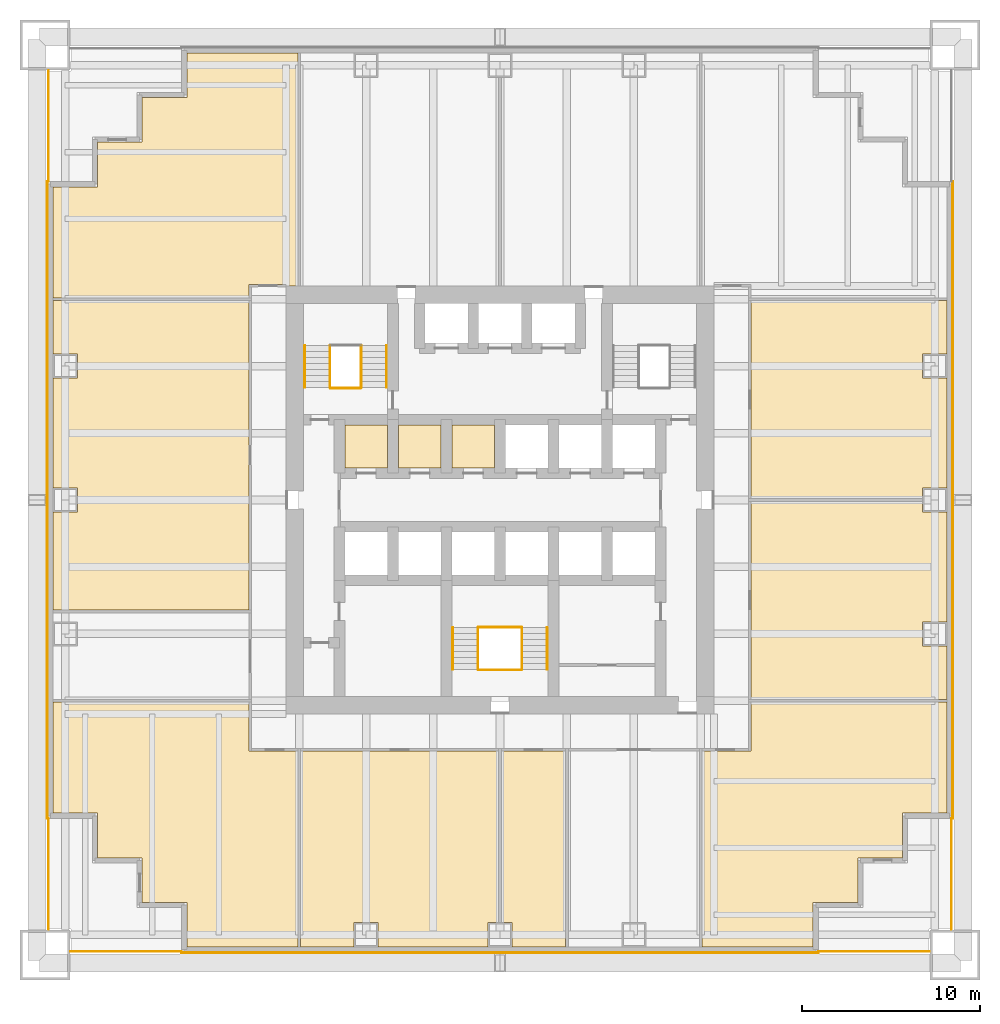
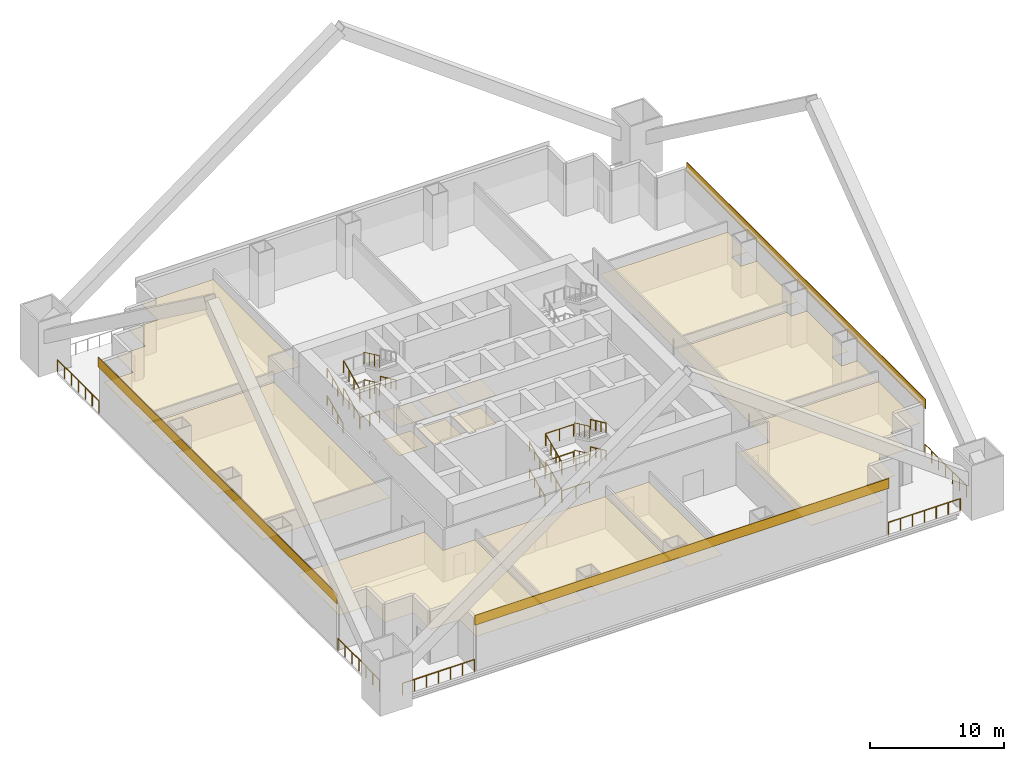
# One storey, part 5 of 6: 26 railings, 17 coverings.
"""IFC4 building model written with IfcOpenShell, lengths in metres."""

from ifc_helpers import new_model, si_unit, direction, frame, origin, origin_2d, place, context, subcontext, project, spatial, polyline, rectangle, circle, outline, extrude, material, layer, layer_set, type_object, element, save


model = new_model("IFC4")

# Units and contexts
model_context = context("Model", 3, precision=1e-05, world=origin(), true_north=direction((0.0, 1.0)))
body_context = subcontext(model_context, "Body", "Model", "MODEL_VIEW")
ifc_project = project(units=[si_unit("LENGTHUNIT", "METRE"), si_unit("AREAUNIT", "SQUARE_METRE"), si_unit("VOLUMEUNIT", "CUBIC_METRE"), si_unit("PLANEANGLEUNIT", "RADIAN"), si_unit("MASSUNIT", "GRAM", prefix="KILO")], contexts=[model_context])

# Site, building, storey
site_placement = place(None, origin())
site = spatial("IfcSite", under=ifc_project, at=site_placement, CompositionType="ELEMENT")
building_placement = place(site_placement, origin())
building = spatial("IfcBuilding", under=site, at=building_placement, Name="Tarangal Relay Tower", CompositionType="ELEMENT")
storey_placement = place(building_placement, frame((0.0, 0.0, 58.39990234375)))
storey = spatial("IfcBuildingStorey", under=building, at=storey_placement, Name="L11", CompositionType="ELEMENT", Elevation=58.39990234375)

# Coverings
ifc_material_1 = material(Name="Anti-static vinyl flooring", Category="plastic")
ifc_layer_1 = layer(ifc_material_1, 0.010009765625)
ifc_layer_set_1 = layer_set([ifc_layer_1], Name="Anti-static vinyl floor")
covering_type_1 = type_object("IfcCoveringType", Name="Anti-static vinyl floor", PredefinedType="FLOORING", material=ifc_layer_set_1)
covering_1_placement = place(storey_placement, origin())
element("IfcCovering", 1, at=covering_1_placement, inside=storey, type_object=covering_type_1, Name="Floor finish FL1 L11-D1", PredefinedType="FLOORING", context=body_context, shape_type="SweptSolid", body=[
    extrude(outline(polyline([(-8.699951171875, 1.800048828125), (-6.300048828125, 1.800048828125), (-6.300048828125, 4.199951171875), (-8.699951171875, 4.199951171875), (-8.699951171875, 1.800048828125)])), origin(), (0.0, 0.0, 1.0), 0.010009765625),
])
covering_2_placement = place(storey_placement, origin())
element("IfcCovering", 2, at=covering_2_placement, inside=storey, type_object=covering_type_1, Name="Floor finish FL1 L11-D2", PredefinedType="FLOORING", context=body_context, shape_type="SweptSolid", body=[
    extrude(outline(polyline([(-5.699951171875, 1.800048828125), (-3.300048828125, 1.800048828125), (-3.300048828125, 4.199951171875), (-5.699951171875, 4.199951171875), (-5.699951171875, 1.800048828125)])), origin(), (0.0, 0.0, 1.0), 0.010009765625),
])
covering_3_placement = place(storey_placement, origin())
element("IfcCovering", 3, at=covering_3_placement, inside=storey, type_object=covering_type_1, Name="Floor finish FL1 L11-D3", PredefinedType="FLOORING", context=body_context, shape_type="SweptSolid", body=[
    extrude(outline(polyline([(-2.699951171875, 1.800048828125), (-0.300048828125, 1.800048828125), (-0.300048828125, 4.199951171875), (-2.699951171875, 4.199951171875), (-2.699951171875, 1.800048828125)])), origin(), (0.0, 0.0, 1.0), 0.010009765625),
])
ifc_material_2 = material(Name="Black anodised aluminium cladding", Category="aluminium")
ifc_layer_2 = layer(ifc_material_2, 0.050048828125)
ifc_layer_set_2 = layer_set([ifc_layer_2], Name="Black metal spandrel band")
covering_type_2 = type_object("IfcCoveringType", Name="Black metal spandrel band", PredefinedType="CLADDING", material=ifc_layer_set_2)
for number, where, z_axis, x_axis, name in (
    (4, (25.375, 0.0, 4.250244140625), (0.0, 0.0, 1.0), (0.0, -1.0, 0.0), "Spandrel band SB1 E L11"),
    (5, (0.0, -25.375, 4.250244140625), (0.0, 0.0, 1.0), (-1.0, 0.0, 0.0), "Spandrel band SB1 S L11"),
    (6, (-25.375, 0.0, 4.250244140625), (0.0, 0.0, 1.0), (0.0, 1.0, 0.0), "Spandrel band SB1 W L11"),
):
    element("IfcCovering", number, at=place(storey_placement, frame(where, z_axis=z_axis, x_axis=x_axis)), inside=storey, type_object=covering_type_2, Name=name, PredefinedType="CLADDING", context=body_context, shape_type="SweptSolid", body=[
        extrude(rectangle(XDim=35.699951171875, YDim=0.050048828125, at=origin_2d()), origin(), (0.0, 0.0, 1.0), 0.89990234375),
    ])

# Railings
ifc_material_3 = material(Name="Steel guard, black finish", Category="steel")
railing_type_1 = type_object("IfcRailingType", Name="Stair guard 1100", PredefinedType="GUARDRAIL", material=ifc_material_3)
railing_1_placement = place(storey_placement, frame((-9.530029296875, 6.300048828125, 0.15625)))
element("IfcRailing", 7, at=railing_1_placement, inside=storey, type_object=railing_type_1, Name="Stair ST-A guard GR1 L11 flight 1", PredefinedType="GUARDRAIL", context=body_context, shape_type="SweptSolid", body=[
    extrude(circle(Radius=0.02392578125, at=origin_2d()), frame((0.0, 0.0, 1.076171875), z_axis=(0.0, 0.90626748934, 0.422704669676), x_axis=(-1.0, 0.0, 0.0)), (0.0, 0.0, 1.0), 2.58740234375),
    extrude(circle(Radius=0.02099609375, at=origin_2d()), origin(), (0.0, 0.0, 1.0), 1.052001953125),
    extrude(circle(Radius=0.02099609375, at=origin_2d()), frame((0.0, 0.78173828125, 0.364501953125)), (0.0, 0.0, 1.0), 1.052001953125),
    extrude(circle(Radius=0.02099609375, at=origin_2d()), frame((0.0, 1.563232421875, 0.729248046875)), (0.0, 0.0, 1.0), 1.052001953125),
    extrude(circle(Radius=0.02099609375, at=origin_2d()), frame((0.0, 2.344970703125, 1.09375)), (0.0, 0.0, 1.0), 1.052001953125),
])
railing_2_placement = place(storey_placement, frame((-7.77001953125, 8.64501953125, 1.40625)))
element("IfcRailing", 8, at=railing_2_placement, inside=storey, type_object=railing_type_1, Name="Stair ST-A guard GR1 L11 flight 2", PredefinedType="GUARDRAIL", context=body_context, shape_type="SweptSolid", body=[
    extrude(circle(Radius=0.02392578125, at=origin_2d()), frame((0.0, 0.0, 1.076171875), z_axis=(0.0, -0.90626748934, 0.422704669676), x_axis=(1.0, 0.0, 0.0)), (0.0, 0.0, 1.0), 2.58740234375),
    extrude(circle(Radius=0.02099609375, at=origin_2d()), origin(), (0.0, 0.0, 1.0), 1.052001953125),
    extrude(circle(Radius=0.02099609375, at=origin_2d()), frame((0.0, -0.78173828125, 0.364501953125)), (0.0, 0.0, 1.0), 1.052001953125),
    extrude(circle(Radius=0.02099609375, at=origin_2d()), frame((0.0, -1.563232421875, 0.729248046875)), (0.0, 0.0, 1.0), 1.052001953125),
    extrude(circle(Radius=0.02099609375, at=origin_2d()), frame((0.0, -2.344970703125, 1.09375)), (0.0, 0.0, 1.0), 1.052001953125),
])
railing_3_placement = place(storey_placement, frame((-9.530029296875, 6.300048828125, 2.65625)))
element("IfcRailing", 9, at=railing_3_placement, inside=storey, type_object=railing_type_1, Name="Stair ST-A guard GR1 L11 flight 3", PredefinedType="GUARDRAIL", context=body_context, shape_type="SweptSolid", body=[
    extrude(circle(Radius=0.02392578125, at=origin_2d()), frame((0.0, 0.0, 1.076171875), z_axis=(0.0, 0.90626748934, 0.422704669676), x_axis=(-1.0, 0.0, 0.0)), (0.0, 0.0, 1.0), 2.58740234375),
    extrude(circle(Radius=0.02099609375, at=origin_2d()), origin(), (0.0, 0.0, 1.0), 1.052001953125),
    extrude(circle(Radius=0.02099609375, at=origin_2d()), frame((0.0, 0.78173828125, 0.364501953125)), (0.0, 0.0, 1.0), 1.052001953125),
    extrude(circle(Radius=0.02099609375, at=origin_2d()), frame((0.0, 1.563232421875, 0.729248046875)), (0.0, 0.0, 1.0), 1.052001953125),
    extrude(circle(Radius=0.02099609375, at=origin_2d()), frame((0.0, 2.344970703125, 1.09375)), (0.0, 0.0, 1.0), 1.052001953125),
])
railing_4_placement = place(storey_placement, frame((-7.77001953125, 8.64501953125, 3.90625)))
element("IfcRailing", 10, at=railing_4_placement, inside=storey, type_object=railing_type_1, Name="Stair ST-A guard GR1 L11 flight 4", PredefinedType="GUARDRAIL", context=body_context, shape_type="SweptSolid", body=[
    extrude(circle(Radius=0.02392578125, at=origin_2d()), frame((0.0, 0.0, 1.076171875), z_axis=(0.0, -0.90626748934, 0.422704669676), x_axis=(1.0, 0.0, 0.0)), (0.0, 0.0, 1.0), 2.58740234375),
    extrude(circle(Radius=0.02099609375, at=origin_2d()), origin(), (0.0, 0.0, 1.0), 1.052001953125),
    extrude(circle(Radius=0.02099609375, at=origin_2d()), frame((0.0, -0.78173828125, 0.364501953125)), (0.0, 0.0, 1.0), 1.052001953125),
    extrude(circle(Radius=0.02099609375, at=origin_2d()), frame((0.0, -1.563232421875, 0.729248046875)), (0.0, 0.0, 1.0), 1.052001953125),
    extrude(circle(Radius=0.02099609375, at=origin_2d()), frame((0.0, -2.344970703125, 1.09375)), (0.0, 0.0, 1.0), 1.052001953125),
])
for number, where, name in (
    (11, (-9.5, 6.27001953125, 0.0), "Stair ST-A landing guard GR1 L11"),
    (12, (-9.5, 6.27001953125, 2.5), "Stair ST-A landing guard GR1 L11"),
):
    element("IfcRailing", number, at=place(storey_placement, frame(where)), inside=storey, type_object=railing_type_1, Name=name, PredefinedType="GUARDRAIL", context=body_context, shape_type="SweptSolid", body=[
        extrude(circle(Radius=0.02392578125, at=origin_2d()), frame((0.0, 0.0, 1.076171875), z_axis=(1.0, 0.0, 0.0), x_axis=(0.0, 1.0, 0.0)), (0.0, 0.0, 1.0), 1.699951171875),
        extrude(circle(Radius=0.02099609375, at=origin_2d()), origin(), (0.0, 0.0, 1.0), 1.052001953125),
        extrude(circle(Radius=0.02099609375, at=origin_2d()), frame((0.85009765625, 0.0, 0.0)), (0.0, 0.0, 1.0), 1.052001953125),
        extrude(circle(Radius=0.02099609375, at=origin_2d()), frame((1.699951171875, 0.0, 0.0)), (0.0, 0.0, 1.0), 1.052001953125),
    ])
railing_5_placement = place(storey_placement, frame((-1.22998046875, -9.5, 0.15625)))
element("IfcRailing", 13, at=railing_5_placement, inside=storey, type_object=railing_type_1, Name="Stair ST-C guard GR1 L11 flight 1", PredefinedType="GUARDRAIL", context=body_context, shape_type="SweptSolid", body=[
    extrude(circle(Radius=0.02392578125, at=origin_2d()), frame((0.0, 0.0, 1.076171875), z_axis=(0.0, 0.90626748934, 0.422704669676), x_axis=(-1.0, 0.0, 0.0)), (0.0, 0.0, 1.0), 2.58740234375),
    extrude(circle(Radius=0.02099609375, at=origin_2d()), origin(), (0.0, 0.0, 1.0), 1.052001953125),
    extrude(circle(Radius=0.02099609375, at=origin_2d()), frame((0.0, 0.78173828125, 0.364501953125)), (0.0, 0.0, 1.0), 1.052001953125),
    extrude(circle(Radius=0.02099609375, at=origin_2d()), frame((0.0, 1.563232421875, 0.729248046875)), (0.0, 0.0, 1.0), 1.052001953125),
    extrude(circle(Radius=0.02099609375, at=origin_2d()), frame((0.0, 2.344970703125, 1.09375)), (0.0, 0.0, 1.0), 1.052001953125),
])
railing_6_placement = place(storey_placement, frame((1.22998046875, -7.155029296875, 1.40625)))
element("IfcRailing", 14, at=railing_6_placement, inside=storey, type_object=railing_type_1, Name="Stair ST-C guard GR1 L11 flight 2", PredefinedType="GUARDRAIL", context=body_context, shape_type="SweptSolid", body=[
    extrude(circle(Radius=0.02392578125, at=origin_2d()), frame((0.0, 0.0, 1.076171875), z_axis=(0.0, -0.90626748934, 0.422704669676), x_axis=(1.0, 0.0, 0.0)), (0.0, 0.0, 1.0), 2.58740234375),
    extrude(circle(Radius=0.02099609375, at=origin_2d()), origin(), (0.0, 0.0, 1.0), 1.052001953125),
    extrude(circle(Radius=0.02099609375, at=origin_2d()), frame((0.0, -0.78173828125, 0.364501953125)), (0.0, 0.0, 1.0), 1.052001953125),
    extrude(circle(Radius=0.02099609375, at=origin_2d()), frame((0.0, -1.563232421875, 0.729248046875)), (0.0, 0.0, 1.0), 1.052001953125),
    extrude(circle(Radius=0.02099609375, at=origin_2d()), frame((0.0, -2.344970703125, 1.09375)), (0.0, 0.0, 1.0), 1.052001953125),
])
railing_7_placement = place(storey_placement, frame((-1.22998046875, -9.5, 2.65625)))
element("IfcRailing", 15, at=railing_7_placement, inside=storey, type_object=railing_type_1, Name="Stair ST-C guard GR1 L11 flight 3", PredefinedType="GUARDRAIL", context=body_context, shape_type="SweptSolid", body=[
    extrude(circle(Radius=0.02392578125, at=origin_2d()), frame((0.0, 0.0, 1.076171875), z_axis=(0.0, 0.90626748934, 0.422704669676), x_axis=(-1.0, 0.0, 0.0)), (0.0, 0.0, 1.0), 2.58740234375),
    extrude(circle(Radius=0.02099609375, at=origin_2d()), origin(), (0.0, 0.0, 1.0), 1.052001953125),
    extrude(circle(Radius=0.02099609375, at=origin_2d()), frame((0.0, 0.78173828125, 0.364501953125)), (0.0, 0.0, 1.0), 1.052001953125),
    extrude(circle(Radius=0.02099609375, at=origin_2d()), frame((0.0, 1.563232421875, 0.729248046875)), (0.0, 0.0, 1.0), 1.052001953125),
    extrude(circle(Radius=0.02099609375, at=origin_2d()), frame((0.0, 2.344970703125, 1.09375)), (0.0, 0.0, 1.0), 1.052001953125),
])
railing_8_placement = place(storey_placement, frame((1.22998046875, -7.155029296875, 3.90625)))
element("IfcRailing", 16, at=railing_8_placement, inside=storey, type_object=railing_type_1, Name="Stair ST-C guard GR1 L11 flight 4", PredefinedType="GUARDRAIL", context=body_context, shape_type="SweptSolid", body=[
    extrude(circle(Radius=0.02392578125, at=origin_2d()), frame((0.0, 0.0, 1.076171875), z_axis=(0.0, -0.90626748934, 0.422704669676), x_axis=(1.0, 0.0, 0.0)), (0.0, 0.0, 1.0), 2.58740234375),
    extrude(circle(Radius=0.02099609375, at=origin_2d()), origin(), (0.0, 0.0, 1.0), 1.052001953125),
    extrude(circle(Radius=0.02099609375, at=origin_2d()), frame((0.0, -0.78173828125, 0.364501953125)), (0.0, 0.0, 1.0), 1.052001953125),
    extrude(circle(Radius=0.02099609375, at=origin_2d()), frame((0.0, -1.563232421875, 0.729248046875)), (0.0, 0.0, 1.0), 1.052001953125),
    extrude(circle(Radius=0.02099609375, at=origin_2d()), frame((0.0, -2.344970703125, 1.09375)), (0.0, 0.0, 1.0), 1.052001953125),
])
for number, where, name in (
    (17, (-1.199951171875, -9.530029296875, 0.0), "Stair ST-C landing guard GR1 L11"),
    (18, (-1.199951171875, -7.125, 1.25), "Stair ST-C landing guard GR1 L11"),
    (19, (-1.199951171875, -9.530029296875, 2.5), "Stair ST-C landing guard GR1 L11"),
    (20, (-1.199951171875, -7.125, 3.75), "Stair ST-C landing guard GR1 L11"),
):
    element("IfcRailing", number, at=place(storey_placement, frame(where)), inside=storey, type_object=railing_type_1, Name=name, PredefinedType="GUARDRAIL", context=body_context, shape_type="SweptSolid", body=[
        extrude(circle(Radius=0.02392578125, at=origin_2d()), frame((0.0, 0.0, 1.076171875), z_axis=(1.0, 0.0, 0.0), x_axis=(0.0, 1.0, 0.0)), (0.0, 0.0, 1.0), 2.39990234375),
        extrude(circle(Radius=0.02099609375, at=origin_2d()), origin(), (0.0, 0.0, 1.0), 1.052001953125),
        extrude(circle(Radius=0.02099609375, at=origin_2d()), frame((1.199951171875, 0.0, 0.0)), (0.0, 0.0, 1.0), 1.052001953125),
        extrude(circle(Radius=0.02099609375, at=origin_2d()), frame((2.39990234375, 0.0, 0.0)), (0.0, 0.0, 1.0), 1.052001953125),
    ])
ifc_material_4 = material(Name="Steel handrail, black finish", Category="steel")
railing_type_2 = type_object("IfcRailingType", Name="Stair handrail 900", PredefinedType="HANDRAIL", material=ifc_material_4)
railing_9_placement = place(storey_placement, frame((-10.93994140625, 6.300048828125, 0.15625)))
element("IfcRailing", 21, at=railing_9_placement, inside=storey, type_object=railing_type_2, Name="Stair ST-A handrail HR1 L11 flight 1", PredefinedType="HANDRAIL", context=body_context, shape_type="SweptSolid", body=[
    extrude(circle(Radius=0.02392578125, at=origin_2d()), frame((0.0, 0.0, 0.8759765625), z_axis=(0.0, 0.90626748934, 0.422704669676), x_axis=(-1.0, 0.0, 0.0)), (0.0, 0.0, 1.0), 2.58740234375),
    extrude(circle(Radius=0.02099609375, at=origin_2d()), origin(), (0.0, 0.0, 1.0), 0.851806640625),
    extrude(circle(Radius=0.02099609375, at=origin_2d()), frame((0.0, 0.78173828125, 0.364501953125)), (0.0, 0.0, 1.0), 0.851806640625),
    extrude(circle(Radius=0.02099609375, at=origin_2d()), frame((0.0, 1.563232421875, 0.729248046875)), (0.0, 0.0, 1.0), 0.851806640625),
    extrude(circle(Radius=0.02099609375, at=origin_2d()), frame((0.0, 2.344970703125, 1.09375)), (0.0, 0.0, 1.0), 0.851806640625),
])
railing_10_placement = place(storey_placement, frame((-6.360107421875, 8.64501953125, 1.40625)))
element("IfcRailing", 22, at=railing_10_placement, inside=storey, type_object=railing_type_2, Name="Stair ST-A handrail HR1 L11 flight 2", PredefinedType="HANDRAIL", context=body_context, shape_type="SweptSolid", body=[
    extrude(circle(Radius=0.02392578125, at=origin_2d()), frame((0.0, 0.0, 0.8759765625), z_axis=(0.0, -0.90626748934, 0.422704669676), x_axis=(1.0, 0.0, 0.0)), (0.0, 0.0, 1.0), 2.58740234375),
    extrude(circle(Radius=0.02099609375, at=origin_2d()), origin(), (0.0, 0.0, 1.0), 0.851806640625),
    extrude(circle(Radius=0.02099609375, at=origin_2d()), frame((0.0, -0.78173828125, 0.364501953125)), (0.0, 0.0, 1.0), 0.851806640625),
    extrude(circle(Radius=0.02099609375, at=origin_2d()), frame((0.0, -1.563232421875, 0.729248046875)), (0.0, 0.0, 1.0), 0.851806640625),
    extrude(circle(Radius=0.02099609375, at=origin_2d()), frame((0.0, -2.344970703125, 1.09375)), (0.0, 0.0, 1.0), 0.851806640625),
])
for number, where, name in (
    (23, (-10.93994140625, 6.300048828125, 2.65625), "Stair ST-A handrail HR1 L11 flight 3"),
    (24, (-2.639892578125, -9.5, 0.15625), "Stair ST-C handrail HR1 L11 flight 1"),
):
    element("IfcRailing", number, at=place(storey_placement, frame(where)), inside=storey, type_object=railing_type_2, Name=name, PredefinedType="HANDRAIL", context=body_context, shape_type="SweptSolid", body=[
        extrude(circle(Radius=0.02392578125, at=origin_2d()), frame((0.0, 0.0, 0.8759765625), z_axis=(0.0, 0.90626748934, 0.422704669676), x_axis=(-1.0, 0.0, 0.0)), (0.0, 0.0, 1.0), 2.58740234375),
        extrude(circle(Radius=0.02099609375, at=origin_2d()), origin(), (0.0, 0.0, 1.0), 0.851806640625),
        extrude(circle(Radius=0.02099609375, at=origin_2d()), frame((0.0, 0.78173828125, 0.364501953125)), (0.0, 0.0, 1.0), 0.851806640625),
        extrude(circle(Radius=0.02099609375, at=origin_2d()), frame((0.0, 1.563232421875, 0.729248046875)), (0.0, 0.0, 1.0), 0.851806640625),
        extrude(circle(Radius=0.02099609375, at=origin_2d()), frame((0.0, 2.344970703125, 1.09375)), (0.0, 0.0, 1.0), 0.851806640625),
    ])
railing_11_placement = place(storey_placement, frame((2.639892578125, -7.155029296875, 1.40625)))
element("IfcRailing", 25, at=railing_11_placement, inside=storey, type_object=railing_type_2, Name="Stair ST-C handrail HR1 L11 flight 2", PredefinedType="HANDRAIL", context=body_context, shape_type="SweptSolid", body=[
    extrude(circle(Radius=0.02392578125, at=origin_2d()), frame((0.0, 0.0, 0.8759765625), z_axis=(0.0, -0.90626748934, 0.422704669676), x_axis=(1.0, 0.0, 0.0)), (0.0, 0.0, 1.0), 2.58740234375),
    extrude(circle(Radius=0.02099609375, at=origin_2d()), origin(), (0.0, 0.0, 1.0), 0.851806640625),
    extrude(circle(Radius=0.02099609375, at=origin_2d()), frame((0.0, -0.78173828125, 0.364501953125)), (0.0, 0.0, 1.0), 0.851806640625),
    extrude(circle(Radius=0.02099609375, at=origin_2d()), frame((0.0, -1.563232421875, 0.729248046875)), (0.0, 0.0, 1.0), 0.851806640625),
    extrude(circle(Radius=0.02099609375, at=origin_2d()), frame((0.0, -2.344970703125, 1.09375)), (0.0, 0.0, 1.0), 0.851806640625),
])
railing_12_placement = place(storey_placement, frame((-2.639892578125, -9.5, 2.65625)))
element("IfcRailing", 26, at=railing_12_placement, inside=storey, type_object=railing_type_2, Name="Stair ST-C handrail HR1 L11 flight 3", PredefinedType="HANDRAIL", context=body_context, shape_type="SweptSolid", body=[
    extrude(circle(Radius=0.02392578125, at=origin_2d()), frame((0.0, 0.0, 0.8759765625), z_axis=(0.0, 0.90626748934, 0.422704669676), x_axis=(-1.0, 0.0, 0.0)), (0.0, 0.0, 1.0), 2.58740234375),
    extrude(circle(Radius=0.02099609375, at=origin_2d()), origin(), (0.0, 0.0, 1.0), 0.851806640625),
    extrude(circle(Radius=0.02099609375, at=origin_2d()), frame((0.0, 0.78173828125, 0.364501953125)), (0.0, 0.0, 1.0), 0.851806640625),
    extrude(circle(Radius=0.02099609375, at=origin_2d()), frame((0.0, 1.563232421875, 0.729248046875)), (0.0, 0.0, 1.0), 0.851806640625),
    extrude(circle(Radius=0.02099609375, at=origin_2d()), frame((0.0, 2.344970703125, 1.09375)), (0.0, 0.0, 1.0), 0.851806640625),
])
railing_13_placement = place(storey_placement, frame((2.639892578125, -7.155029296875, 3.90625)))
element("IfcRailing", 27, at=railing_13_placement, inside=storey, type_object=railing_type_2, Name="Stair ST-C handrail HR1 L11 flight 4", PredefinedType="HANDRAIL", context=body_context, shape_type="SweptSolid", body=[
    extrude(circle(Radius=0.02392578125, at=origin_2d()), frame((0.0, 0.0, 0.8759765625), z_axis=(0.0, -0.90626748934, 0.422704669676), x_axis=(1.0, 0.0, 0.0)), (0.0, 0.0, 1.0), 2.58740234375),
    extrude(circle(Radius=0.02099609375, at=origin_2d()), origin(), (0.0, 0.0, 1.0), 0.851806640625),
    extrude(circle(Radius=0.02099609375, at=origin_2d()), frame((0.0, -0.78173828125, 0.364501953125)), (0.0, 0.0, 1.0), 0.851806640625),
    extrude(circle(Radius=0.02099609375, at=origin_2d()), frame((0.0, -1.563232421875, 0.729248046875)), (0.0, 0.0, 1.0), 0.851806640625),
    extrude(circle(Radius=0.02099609375, at=origin_2d()), frame((0.0, -2.344970703125, 1.09375)), (0.0, 0.0, 1.0), 0.851806640625),
])

# Coverings
ifc_material_5 = material(Name="Mineral fibre ceiling tiles", Category="gypsum")
ifc_layer_3 = layer(ifc_material_5, 0.02001953125)
ifc_layer_set_3 = layer_set([ifc_layer_3], Name="Suspended ceiling")
covering_type_3 = type_object("IfcCoveringType", Name="Suspended ceiling", PredefinedType="CEILING", material=ifc_layer_set_3)
covering_4_placement = place(storey_placement, frame((0.0, 0.0, 2.60009765625)))
element("IfcCovering", 28, at=covering_4_placement, inside=storey, type_object=covering_type_3, Name="Suspended ceiling CL1 L11-D1", PredefinedType="CEILING", context=body_context, shape_type="SweptSolid", body=[
    extrude(outline(polyline([(-8.699951171875, 1.800048828125), (-6.300048828125, 1.800048828125), (-6.300048828125, 4.199951171875), (-8.699951171875, 4.199951171875), (-8.699951171875, 1.800048828125)])), origin(), (0.0, 0.0, 1.0), 0.02001953125),
])
covering_5_placement = place(storey_placement, frame((0.0, 0.0, 2.60009765625)))
element("IfcCovering", 29, at=covering_5_placement, inside=storey, type_object=covering_type_3, Name="Suspended ceiling CL1 L11-D2", PredefinedType="CEILING", context=body_context, shape_type="SweptSolid", body=[
    extrude(outline(polyline([(-5.699951171875, 1.800048828125), (-3.300048828125, 1.800048828125), (-3.300048828125, 4.199951171875), (-5.699951171875, 4.199951171875), (-5.699951171875, 1.800048828125)])), origin(), (0.0, 0.0, 1.0), 0.02001953125),
])
covering_6_placement = place(storey_placement, frame((0.0, 0.0, 2.60009765625)))
element("IfcCovering", 30, at=covering_6_placement, inside=storey, type_object=covering_type_3, Name="Suspended ceiling CL1 L11-D3", PredefinedType="CEILING", context=body_context, shape_type="SweptSolid", body=[
    extrude(outline(polyline([(-2.699951171875, 1.800048828125), (-0.300048828125, 1.800048828125), (-0.300048828125, 4.199951171875), (-2.699951171875, 4.199951171875), (-2.699951171875, 1.800048828125)])), origin(), (0.0, 0.0, 1.0), 0.02001953125),
])
covering_7_placement = place(storey_placement, frame((0.0, 0.0, 2.900146484375)))
element("IfcCovering", 31, at=covering_7_placement, inside=storey, type_object=covering_type_3, Name="Suspended ceiling CL1 L11-04", PredefinedType="CEILING", context=body_context, shape_type="SweptSolid", body=[
    extrude(outline(polyline([(25.050048828125, 0.0), (25.050048828125, 11.175048828125), (14.074951171875, 11.175048828125), (14.074951171875, 0.074951171875), (23.68994140625, 0.074951171875), (23.68994140625, 0.675048828125), (25.0400390625, 0.675048828125), (25.0400390625, 0.0), (25.050048828125, 0.0)]), holes=[polyline([(25.0400390625, 6.824951171875), (25.0400390625, 8.175048828125), (23.68994140625, 8.175048828125), (23.68994140625, 6.824951171875), (25.0400390625, 6.824951171875)])]), origin(), (0.0, 0.0, 1.0), 0.02001953125),
])
covering_8_placement = place(storey_placement, frame((0.0, 0.0, 2.900146484375)))
element("IfcCovering", 32, at=covering_8_placement, inside=storey, type_object=covering_type_3, Name="Suspended ceiling CL1 L11-05", PredefinedType="CEILING", context=body_context, shape_type="SweptSolid", body=[
    extrude(outline(polyline([(25.050048828125, -11.175048828125), (25.050048828125, 0.0), (25.0400390625, 0.0), (25.0400390625, -0.675048828125), (23.68994140625, -0.675048828125), (23.68994140625, -0.074951171875), (14.074951171875, -0.074951171875), (14.074951171875, -11.175048828125), (25.050048828125, -11.175048828125)]), holes=[polyline([(25.0400390625, -8.175048828125), (25.0400390625, -6.824951171875), (23.68994140625, -6.824951171875), (23.68994140625, -8.175048828125), (25.0400390625, -8.175048828125)])]), origin(), (0.0, 0.0, 1.0), 0.02001953125),
])
covering_9_placement = place(storey_placement, frame((0.0, 0.0, 2.900146484375)))
element("IfcCovering", 33, at=covering_9_placement, inside=storey, type_object=covering_type_3, Name="Suspended ceiling CL1 L11-07", PredefinedType="CEILING", context=body_context, shape_type="SweptSolid", body=[
    extrude(outline(polyline([(0.0, -25.050048828125), (3.675048828125, -25.050048828125), (3.675048828125, -14.074951171875), (0.074951171875, -14.074951171875), (0.074951171875, -23.68994140625), (0.675048828125, -23.68994140625), (0.675048828125, -25.0400390625), (0.0, -25.0400390625), (0.0, -25.050048828125)])), origin(), (0.0, 0.0, 1.0), 0.02001953125),
])
covering_10_placement = place(storey_placement, frame((0.0, 0.0, 2.900146484375)))
element("IfcCovering", 34, at=covering_10_placement, inside=storey, type_object=covering_type_3, Name="Suspended ceiling CL1 L11-08", PredefinedType="CEILING", context=body_context, shape_type="SweptSolid", body=[
    extrude(outline(polyline([(-11.175048828125, -25.050048828125), (0.0, -25.050048828125), (0.0, -25.0400390625), (-0.675048828125, -25.0400390625), (-0.675048828125, -23.68994140625), (-0.074951171875, -23.68994140625), (-0.074951171875, -14.074951171875), (-11.175048828125, -14.074951171875), (-11.175048828125, -25.050048828125)]), holes=[polyline([(-6.824951171875, -25.0400390625), (-6.824951171875, -23.68994140625), (-8.175048828125, -23.68994140625), (-8.175048828125, -25.0400390625), (-6.824951171875, -25.0400390625)])]), origin(), (0.0, 0.0, 1.0), 0.02001953125),
])
covering_11_placement = place(storey_placement, frame((0.0, 0.0, 2.900146484375)))
element("IfcCovering", 35, at=covering_11_placement, inside=storey, type_object=covering_type_3, Name="Suspended ceiling CL1 L11-10", PredefinedType="CEILING", context=body_context, shape_type="SweptSolid", body=[
    extrude(outline(polyline([(-25.050048828125, 11.175048828125), (-25.050048828125, -6.175048828125), (-14.074951171875, -6.175048828125), (-14.074951171875, 11.175048828125), (-25.050048828125, 11.175048828125)]), holes=[polyline([(-23.68994140625, -0.675048828125), (-23.68994140625, 0.675048828125), (-25.0400390625, 0.675048828125), (-25.0400390625, -0.675048828125), (-23.68994140625, -0.675048828125)]), polyline([(-23.68994140625, 6.824951171875), (-23.68994140625, 8.175048828125), (-25.0400390625, 8.175048828125), (-25.0400390625, 6.824951171875), (-23.68994140625, 6.824951171875)])]), origin(), (0.0, 0.0, 1.0), 0.02001953125),
])
covering_12_placement = place(storey_placement, frame((0.0, 0.0, 2.900146484375)))
element("IfcCovering", 36, at=covering_12_placement, inside=storey, type_object=covering_type_3, Name="Suspended ceiling CL1 L11-12", PredefinedType="CEILING", context=body_context, shape_type="SweptSolid", body=[
    extrude(outline(polyline([(25.050048828125, -17.550048828125), (25.050048828125, -11.324951171875), (14.074951171875, -11.324951171875), (14.074951171875, -14.074951171875), (11.324951171875, -14.074951171875), (11.324951171875, -25.050048828125), (17.550048828125, -25.050048828125), (17.550048828125, -22.550048828125), (20.050048828125, -22.550048828125), (20.050048828125, -20.050048828125), (22.550048828125, -20.050048828125), (22.550048828125, -17.550048828125), (25.050048828125, -17.550048828125)])), origin(), (0.0, 0.0, 1.0), 0.02001953125),
])
covering_13_placement = place(storey_placement, frame((0.0, 0.0, 2.900146484375)))
element("IfcCovering", 37, at=covering_13_placement, inside=storey, type_object=covering_type_3, Name="Suspended ceiling CL1 L11-13", PredefinedType="CEILING", context=body_context, shape_type="SweptSolid", body=[
    extrude(outline(polyline([(-17.550048828125, -22.550048828125), (-17.550048828125, -25.050048828125), (-11.324951171875, -25.050048828125), (-11.324951171875, -14.074951171875), (-14.074951171875, -14.074951171875), (-14.074951171875, -11.324951171875), (-25.050048828125, -11.324951171875), (-25.050048828125, -17.550048828125), (-22.550048828125, -17.550048828125), (-22.550048828125, -20.050048828125), (-20.050048828125, -20.050048828125), (-20.050048828125, -22.550048828125), (-17.550048828125, -22.550048828125)])), origin(), (0.0, 0.0, 1.0), 0.02001953125),
])
covering_14_placement = place(storey_placement, frame((0.0, 0.0, 2.900146484375)))
element("IfcCovering", 38, at=covering_14_placement, inside=storey, type_object=covering_type_3, Name="Suspended ceiling CL1 L11-14", PredefinedType="CEILING", context=body_context, shape_type="SweptSolid", body=[
    extrude(outline(polyline([(-22.550048828125, 17.550048828125), (-25.050048828125, 17.550048828125), (-25.050048828125, 11.324951171875), (-14.074951171875, 11.324951171875), (-14.074951171875, 12.074951171875), (-12.0, 12.074951171875), (-12.0, 12.0), (-11.324951171875, 12.0), (-11.324951171875, 25.050048828125), (-17.550048828125, 25.050048828125), (-17.550048828125, 22.550048828125), (-20.050048828125, 22.550048828125), (-20.050048828125, 20.050048828125), (-22.550048828125, 20.050048828125), (-22.550048828125, 17.550048828125)])), origin(), (0.0, 0.0, 1.0), 0.02001953125),
])

# Railings
ifc_material_6 = material(Name="Black steel guard with glass infill", Category="steel")
railing_type_3 = type_object("IfcRailingType", Name="Terrace guard 1100", PredefinedType="GUARDRAIL", material=ifc_material_6)
railing_14_placement = place(storey_placement, frame((25.300048828125, -17.85009765625, 0.0)))
element("IfcRailing", 39, at=railing_14_placement, inside=storey, type_object=railing_type_3, Name="Terrace guard GR2 SE L11", PredefinedType="GUARDRAIL", context=body_context, shape_type="SweptSolid", body=[
    extrude(circle(Radius=0.02392578125, at=origin_2d()), frame((0.0, 0.0, 1.076171875), z_axis=(0.0, -1.0, 0.0), x_axis=(1.0, 0.0, 0.0)), (0.0, 0.0, 1.0), 6.199951171875),
    extrude(circle(Radius=0.02099609375, at=origin_2d()), origin(), (0.0, 0.0, 1.0), 1.052001953125),
    extrude(circle(Radius=0.02099609375, at=origin_2d()), frame((0.0, -1.033203125, 0.0)), (0.0, 0.0, 1.0), 1.052001953125),
    extrude(circle(Radius=0.02099609375, at=origin_2d()), frame((0.0, -2.066650390625, 0.0)), (0.0, 0.0, 1.0), 1.052001953125),
    extrude(circle(Radius=0.02099609375, at=origin_2d()), frame((0.0, -3.10009765625, 0.0)), (0.0, 0.0, 1.0), 1.052001953125),
    extrude(circle(Radius=0.02099609375, at=origin_2d()), frame((0.0, -4.13330078125, 0.0)), (0.0, 0.0, 1.0), 1.052001953125),
    extrude(circle(Radius=0.02099609375, at=origin_2d()), frame((0.0, -5.16650390625, 0.0)), (0.0, 0.0, 1.0), 1.052001953125),
    extrude(circle(Radius=0.02099609375, at=origin_2d()), frame((0.0, -6.199951171875, 0.0)), (0.0, 0.0, 1.0), 1.052001953125),
])
for number, where, name in (
    (40, (24.050048828125, -25.300048828125, 0.0), "Terrace guard GR2 SE L11"),
    (41, (-17.85009765625, -25.300048828125, 0.0), "Terrace guard GR2 SW L11"),
):
    element("IfcRailing", number, at=place(storey_placement, frame(where)), inside=storey, type_object=railing_type_3, Name=name, PredefinedType="GUARDRAIL", context=body_context, shape_type="SweptSolid", body=[
        extrude(circle(Radius=0.02392578125, at=origin_2d()), frame((0.0, 0.0, 1.076171875), z_axis=(-1.0, 0.0, 0.0), x_axis=(0.0, -1.0, 0.0)), (0.0, 0.0, 1.0), 6.199951171875),
        extrude(circle(Radius=0.02099609375, at=origin_2d()), origin(), (0.0, 0.0, 1.0), 1.052001953125),
        extrude(circle(Radius=0.02099609375, at=origin_2d()), frame((-1.033203125, 0.0, 0.0)), (0.0, 0.0, 1.0), 1.052001953125),
        extrude(circle(Radius=0.02099609375, at=origin_2d()), frame((-2.066650390625, 0.0, 0.0)), (0.0, 0.0, 1.0), 1.052001953125),
        extrude(circle(Radius=0.02099609375, at=origin_2d()), frame((-3.10009765625, 0.0, 0.0)), (0.0, 0.0, 1.0), 1.052001953125),
        extrude(circle(Radius=0.02099609375, at=origin_2d()), frame((-4.13330078125, 0.0, 0.0)), (0.0, 0.0, 1.0), 1.052001953125),
        extrude(circle(Radius=0.02099609375, at=origin_2d()), frame((-5.16650390625, 0.0, 0.0)), (0.0, 0.0, 1.0), 1.052001953125),
        extrude(circle(Radius=0.02099609375, at=origin_2d()), frame((-6.199951171875, 0.0, 0.0)), (0.0, 0.0, 1.0), 1.052001953125),
    ])
for number, where, name in (
    (42, (-25.300048828125, -24.050048828125, 0.0), "Terrace guard GR2 SW L11"),
    (43, (-25.300048828125, 17.85009765625, 0.0), "Terrace guard GR2 NW L11"),
):
    element("IfcRailing", number, at=place(storey_placement, frame(where)), inside=storey, type_object=railing_type_3, Name=name, PredefinedType="GUARDRAIL", context=body_context, shape_type="SweptSolid", body=[
        extrude(circle(Radius=0.02392578125, at=origin_2d()), frame((0.0, 0.0, 1.076171875), z_axis=(0.0, 1.0, 0.0), x_axis=(-1.0, 0.0, 0.0)), (0.0, 0.0, 1.0), 6.199951171875),
        extrude(circle(Radius=0.02099609375, at=origin_2d()), origin(), (0.0, 0.0, 1.0), 1.052001953125),
        extrude(circle(Radius=0.02099609375, at=origin_2d()), frame((0.0, 1.033203125, 0.0)), (0.0, 0.0, 1.0), 1.052001953125),
        extrude(circle(Radius=0.02099609375, at=origin_2d()), frame((0.0, 2.066650390625, 0.0)), (0.0, 0.0, 1.0), 1.052001953125),
        extrude(circle(Radius=0.02099609375, at=origin_2d()), frame((0.0, 3.10009765625, 0.0)), (0.0, 0.0, 1.0), 1.052001953125),
        extrude(circle(Radius=0.02099609375, at=origin_2d()), frame((0.0, 4.13330078125, 0.0)), (0.0, 0.0, 1.0), 1.052001953125),
        extrude(circle(Radius=0.02099609375, at=origin_2d()), frame((0.0, 5.16650390625, 0.0)), (0.0, 0.0, 1.0), 1.052001953125),
        extrude(circle(Radius=0.02099609375, at=origin_2d()), frame((0.0, 6.199951171875, 0.0)), (0.0, 0.0, 1.0), 1.052001953125),
    ])

save(model, "model.ifc")
